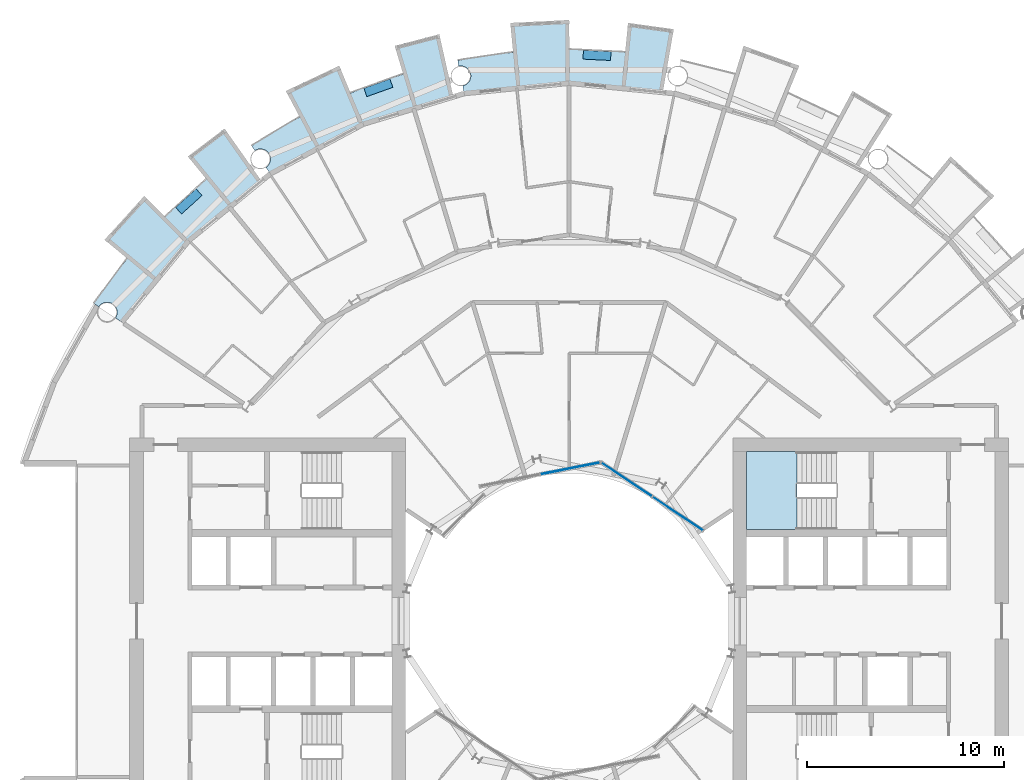
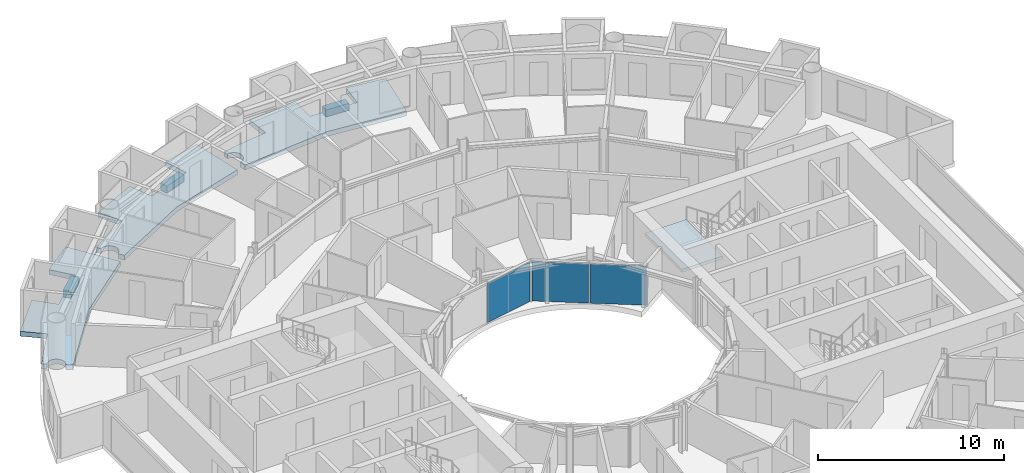
# One storey, part 11 of 26: 7 slabs, 3 plates, 3 elements without a shape of their own.
"""IFC4 building model written with IfcOpenShell, lengths in metres."""

from ifc_helpers import new_model, si_unit, direction, frame, origin, origin_2d, place, context, subcontext, project, spatial, polyline, rectangle, outline, extrude, material, layer, layer_set, type_object, element, aggregate, save


model = new_model("IFC4")

# Units and contexts
model_context = context("Model", 3, precision=1e-05, world=origin(), true_north=direction((0.0, 1.0)))
body_context = subcontext(model_context, "Body", "Model", "MODEL_VIEW")
ifc_project = project(units=[si_unit("LENGTHUNIT", "METRE"), si_unit("AREAUNIT", "SQUARE_METRE"), si_unit("VOLUMEUNIT", "CUBIC_METRE"), si_unit("PLANEANGLEUNIT", "RADIAN"), si_unit("MASSUNIT", "GRAM", prefix="KILO")], contexts=[model_context])

# Site, building, storey
site_placement = place(None, origin())
site = spatial("IfcSite", under=ifc_project, at=site_placement, CompositionType="ELEMENT")
building_placement = place(site_placement, origin())
building = spatial("IfcBuilding", under=site, at=building_placement, Name="Maasbend Ring Residences", CompositionType="ELEMENT")
storey_placement = place(building_placement, frame((0.0, 0.0, 78.85009765625)))
storey = spatial("IfcBuildingStorey", under=building, at=storey_placement, Name="L22", CompositionType="ELEMENT", Elevation=78.85009765625)

# Stair, slab
ifc_material_1 = material(Name="Concrete C40/50", Category="concrete")
stair_type = type_object("IfcStairType", Name="CORE STAIR 18 RISERS", PredefinedType="HALF_TURN_STAIR", material=ifc_material_1)
stair_placement = place(storey_placement, origin())
stair = element("IfcStair", 1, at=stair_placement, inside=storey, type_object=stair_type, Name="L22 Exit stair ST-E1", PredefinedType="HALF_TURN_STAIR")
ifc_material_2 = material(Name="Concrete C40/50", Category="concrete")
ifc_layer_1 = layer(ifc_material_2, 0.199951171875)
ifc_layer_set_1 = layer_set([ifc_layer_1], Name="Concrete C40/50")
slab_type_1 = type_object("IfcSlabType", Name="CORE STAIR LANDING 200", PredefinedType="LANDING", material=ifc_layer_set_1)
slab_1_placement = place(storey_placement, frame((0.0, 0.0, 1.324951171875)))
slab_1 = element("IfcSlab", 2, at=slab_1_placement, type_object=slab_type_1, Name="ST-E1 landing 1", PredefinedType="LANDING", context=body_context, shape_type="SweptSolid", body=[
    extrude(outline(polyline([(11.550048828125, 8.60009765625), (9.0, 8.60009765625), (9.0, 4.64990234375), (11.550048828125, 4.64990234375), (11.550048828125, 8.60009765625)])), origin(), (0.0, 0.0, 1.0), 0.199951171875),
])
aggregate(stair, [slab_1])

# Curtain wall, plates
ifc_material_3 = material(Name="Aluminium and clear glass", Category="aluminium")
ifc_layer_2 = layer(ifc_material_3, 0.179931640625)
ifc_layer_set_2 = layer_set([ifc_layer_2], Name="CW-W")
curtain_wall_type = type_object("IfcCurtainWallType", Name="CW-W", PredefinedType="NOTDEFINED", material=ifc_layer_set_2)
curtain_wall_1_placement = place(storey_placement, origin())
curtain_wall_1 = element("IfcCurtainWall", 3, at=curtain_wall_1_placement, inside=storey, type_object=curtain_wall_type, Name="Well curtain wall N1", PredefinedType="NOTDEFINED")
ifc_material_4 = material(Name="Glass clear laminated", Category="glass")
ifc_layer_3 = layer(ifc_material_4, 0.031982421875)
ifc_layer_set_3 = layer_set([ifc_layer_3], Name="CWP-W")
plate_type = type_object("IfcPlateType", Name="CWP-W", PredefinedType="CURTAIN_PANEL", material=ifc_layer_set_3)
plate_1_placement = place(storey_placement, frame((5.51123046875, 5.44580078125, -0.000244140625), z_axis=(0.0, 0.0, 1.0), x_axis=(-0.831469612303, 0.55557023302, 0.0)))
plate_1 = element("IfcPlate", 4, at=plate_1_placement, type_object=plate_type, Name="Glass panel well face", PredefinedType="CURTAIN_PANEL", context=body_context, shape_type="SweptSolid", body=[
    extrude(rectangle(XDim=3.053955078125, YDim=0.031982421875, at=origin_2d()), origin(), (0.0, 0.0, 1.0), 2.580078125),
])
plate_2_placement = place(storey_placement, frame((2.922119140625, 7.17578125, -0.000244140625), z_axis=(0.0, 0.0, 1.0), x_axis=(-0.831469612303, 0.55557023302, 0.0)))
plate_2 = element("IfcPlate", 5, at=plate_2_placement, type_object=plate_type, Name="Glass panel well face", PredefinedType="CURTAIN_PANEL", context=body_context, shape_type="SweptSolid", body=[
    extrude(rectangle(XDim=3.053955078125, YDim=0.031982421875, at=origin_2d()), origin(), (0.0, 0.0, 1.0), 2.580078125),
])
aggregate(curtain_wall_1, [plate_1, plate_2])

# Curtain wall, plate
curtain_wall_2_placement = place(storey_placement, origin())
curtain_wall_2 = element("IfcCurtainWall", 6, at=curtain_wall_2_placement, inside=storey, type_object=curtain_wall_type, Name="Well curtain wall N2", PredefinedType="NOTDEFINED")
plate_3_placement = place(storey_placement, frame((0.04638671875, 7.747802734375, -0.000244140625), z_axis=(0.0, 0.0, 1.0), x_axis=(-0.980785280403, -0.195090322016, 0.0)))
plate_3 = element("IfcPlate", 7, at=plate_3_placement, type_object=plate_type, Name="Glass panel well face", PredefinedType="CURTAIN_PANEL", context=body_context, shape_type="SweptSolid", body=[
    extrude(rectangle(XDim=3.053955078125, YDim=0.031982421875, at=origin_2d()), origin(), (0.0, 0.0, 1.0), 2.580078125),
])
aggregate(curtain_wall_2, [plate_3])

# Slabs
ifc_material_5 = material(Name="Planting with climbing greenery")
ifc_layer_4 = layer(ifc_material_5, 0.449951171875)
ifc_layer_set_4 = layer_set([ifc_layer_4], Name="PLANTER-LG")
slab_type_2 = type_object("IfcSlabType", Name="PLANTER-LG", PredefinedType="USERDEFINED", material=ifc_layer_set_4)
slab_2_placement = place(storey_placement, frame((0.0, 0.0, -0.030029296875)))
element("IfcSlab", 8, at=slab_2_placement, inside=storey, type_object=slab_type_2, Name="Planter with climbing greenery 3", ObjectType="PLANTER", PredefinedType="USERDEFINED", context=body_context, shape_type="SweptSolid", body=[
    extrude(outline(polyline([(2.1201171875, 28.89599609375), (0.721923828125, 28.965087890625), (0.699951171875, 28.514892578125), (2.097900390625, 28.446044921875), (2.1201171875, 28.89599609375)])), origin(), (0.0, 0.0, 1.0), 0.449951171875),
])
slab_3_placement = place(storey_placement, frame((0.0, 0.0, -0.030029296875)))
element("IfcSlab", 9, at=slab_3_placement, inside=storey, type_object=slab_type_2, Name="Planter with climbing greenery 4", ObjectType="PLANTER", PredefinedType="USERDEFINED", context=body_context, shape_type="SweptSolid", body=[
    extrude(outline(polyline([(-9.09912109375, 27.508056640625), (-10.4169921875, 27.035888671875), (-10.26611328125, 26.612060546875), (-8.947021484375, 27.083984375), (-9.09912109375, 27.508056640625)])), origin(), (0.0, 0.0, 1.0), 0.449951171875),
])
slab_4_placement = place(storey_placement, frame((0.0, 0.0, -0.030029296875)))
element("IfcSlab", 10, at=slab_4_placement, inside=storey, type_object=slab_type_2, Name="Planter with climbing greenery 5", ObjectType="PLANTER", PredefinedType="USERDEFINED", context=body_context, shape_type="SweptSolid", body=[
    extrude(outline(polyline([(-18.93310546875, 21.931884765625), (-19.969970703125, 20.991943359375), (-19.66796875, 20.657958984375), (-18.631103515625, 21.597900390625), (-18.93310546875, 21.931884765625)])), origin(), (0.0, 0.0, 1.0), 0.449951171875),
])
ifc_material_6 = material(Name="Concrete C40/50", Category="concrete")
ifc_layer_5 = layer(ifc_material_6, 0.199951171875)
ifc_layer_set_5 = layer_set([ifc_layer_5], Name="Concrete C40/50")
slab_type_3 = type_object("IfcSlabType", Name="SL-LOGGIA", PredefinedType="FLOOR", material=ifc_layer_set_5)
slab_5_placement = place(storey_placement, frame((0.0, 0.0, -0.35009765625)))
element("IfcSlab", 11, at=slab_5_placement, inside=storey, type_object=slab_type_3, Name="Loggia floor 1", PredefinedType="FLOOR", context=body_context, shape_type="SweptSolid", body=[
    extrude(outline(polyline([(-14.5, 25.114990234375), (-13.6708984375, 25.574951171875), (-13.6708984375, 25.575927734375), (-13.6708984375, 25.575927734375), (-13.6708984375, 25.575927734375), (-13.6708984375, 25.575927734375), (-13.6708984375, 25.575927734375), (-13.6708984375, 25.575927734375), (-13.6708984375, 25.575927734375), (-13.6708984375, 25.575927734375), (-13.6708984375, 25.575927734375), (-13.6708984375, 25.575927734375), (-13.6708984375, 25.575927734375), (-13.6708984375, 25.575927734375), (-13.6708984375, 25.575927734375), (-13.6708984375, 25.575927734375), (-13.6708984375, 25.575927734375), (-13.6708984375, 25.575927734375), (-14.3779296875, 26.89892578125), (-14.3779296875, 26.89892578125), (-14.3779296875, 26.89892578125), (-11.672119140625, 28.177978515625), (-11.672119140625, 28.177978515625), (-11.672119140625, 28.177978515625), (-11.097900390625, 26.79296875), (-11.097900390625, 26.79296875), (-11.097900390625, 26.79296875), (-11.097900390625, 26.79296875), (-11.097900390625, 26.79296875), (-11.097900390625, 26.79296875), (-11.097900390625, 26.79296875), (-11.097900390625, 26.79296875), (-11.097900390625, 26.79296875), (-11.097900390625, 26.79296875), (-11.097900390625, 26.79296875), (-11.097900390625, 26.79296875), (-11.097900390625, 26.79296875), (-11.097900390625, 26.79296875), (-11.096923828125, 26.79296875), (-11.096923828125, 26.79296875), (-11.096923828125, 26.79296875), (-10.215087890625, 27.14111328125), (-10.215087890625, 27.14111328125), (-9.322021484375, 27.4609375), (-9.322021484375, 27.4609375), (-8.4189453125, 27.7509765625), (-8.4189453125, 27.7509765625), (-8.4189453125, 27.7509765625), (-8.4189453125, 27.7509765625), (-8.4189453125, 27.7509765625), (-8.4189453125, 27.7509765625), (-8.41796875, 27.7509765625), (-8.41796875, 27.7509765625), (-8.41796875, 27.7509765625), (-8.41796875, 27.7509765625), (-8.41796875, 27.7509765625), (-8.41796875, 27.751953125), (-8.41796875, 27.751953125), (-8.41796875, 27.751953125), (-8.41796875, 27.751953125), (-8.41796875, 27.751953125), (-8.41796875, 27.751953125), (-8.85400390625, 29.18701171875), (-8.85400390625, 29.18701171875), (-8.85400390625, 29.18701171875), (-6.593994140625, 29.779052734375), (-6.593994140625, 29.779052734375), (-6.593994140625, 29.779052734375), (-5.89111328125, 26.60400390625), (-5.89111328125, 26.60400390625), (-5.89111328125, 26.60400390625), (-7.886962890625, 25.9990234375), (-10.447021484375, 25.221923828125), (-10.447021484375, 25.221923828125), (-10.447021484375, 25.221923828125), (-12.806884765625, 23.9609375), (-15.1669921875, 22.698974609375), (-15.1669921875, 22.698974609375), (-15.1669921875, 22.698974609375), (-15.385009765625, 23.02490234375), (-15.375, 23.031982421875), (-15.364013671875, 23.0390625), (-15.35498046875, 23.047119140625), (-15.344970703125, 23.054931640625), (-15.3349609375, 23.06298828125), (-15.325927734375, 23.071044921875), (-15.31689453125, 23.0791015625), (-15.30810546875, 23.087890625), (-15.299072265625, 23.096923828125), (-15.291015625, 23.10595703125), (-15.281982421875, 23.115966796875), (-15.27392578125, 23.125), (-15.26708984375, 23.135009765625), (-15.259033203125, 23.14501953125), (-15.251953125, 23.155029296875), (-15.2451171875, 23.1650390625), (-15.238037109375, 23.176025390625), (-15.23095703125, 23.18603515625), (-15.22509765625, 23.197021484375), (-15.218994140625, 23.2080078125), (-15.212890625, 23.218994140625), (-15.2080078125, 23.22998046875), (-15.202880859375, 23.241943359375), (-15.197998046875, 23.2529296875), (-15.193115234375, 23.264892578125), (-15.18896484375, 23.27587890625), (-15.18505859375, 23.2880859375), (-15.180908203125, 23.300048828125), (-15.177978515625, 23.31201171875), (-15.174072265625, 23.323974609375), (-15.1708984375, 23.3359375), (-15.1689453125, 23.347900390625), (-15.1669921875, 23.361083984375), (-15.1650390625, 23.373046875), (-15.1630859375, 23.385009765625), (-15.162109375, 23.39794921875), (-15.159912109375, 23.409912109375), (-15.159912109375, 23.422119140625), (-15.158935546875, 23.43505859375), (-15.158935546875, 23.447021484375), (-15.158935546875, 23.4599609375), (-15.159912109375, 23.471923828125), (-15.159912109375, 23.485107421875), (-15.162109375, 23.4970703125), (-15.1630859375, 23.510009765625), (-15.1650390625, 23.52197265625), (-15.1669921875, 23.533935546875), (-15.1689453125, 23.547119140625), (-15.1708984375, 23.55908203125), (-15.174072265625, 23.571044921875), (-15.177978515625, 23.5830078125), (-15.180908203125, 23.594970703125), (-15.18505859375, 23.60693359375), (-15.18896484375, 23.618896484375), (-15.193115234375, 23.6298828125), (-15.197998046875, 23.64208984375), (-15.202880859375, 23.653076171875), (-15.2080078125, 23.6650390625), (-15.212890625, 23.676025390625), (-15.218994140625, 23.68701171875), (-15.22509765625, 23.697998046875), (-15.23095703125, 23.708984375), (-15.238037109375, 23.718994140625), (-15.2451171875, 23.72998046875), (-15.251953125, 23.739990234375), (-15.259033203125, 23.75), (-15.26708984375, 23.760009765625), (-15.27392578125, 23.77001953125), (-15.281982421875, 23.779052734375), (-15.291015625, 23.7890625), (-15.299072265625, 23.798095703125), (-15.30810546875, 23.806884765625), (-15.31689453125, 23.81494140625), (-15.325927734375, 23.823974609375), (-15.3349609375, 23.83203125), (-15.344970703125, 23.840087890625), (-15.35498046875, 23.847900390625), (-15.364013671875, 23.85498046875), (-15.375, 23.863037109375), (-15.385009765625, 23.8701171875), (-15.39501953125, 23.876953125), (-15.406005859375, 23.883056640625), (-15.4169921875, 23.888916015625), (-15.427978515625, 23.89501953125), (-15.43896484375, 23.90087890625), (-15.449951171875, 23.906982421875), (-15.4609375, 23.912109375), (-15.472900390625, 23.9169921875), (-15.48388671875, 23.9208984375), (-15.49609375, 23.926025390625), (-15.508056640625, 23.929931640625), (-15.52001953125, 23.93408203125), (-15.531982421875, 23.93701171875), (-15.5439453125, 23.93994140625), (-15.555908203125, 23.943115234375), (-15.568115234375, 23.946044921875), (-15.580078125, 23.947998046875), (-15.593017578125, 23.949951171875), (-15.60498046875, 23.951904296875), (-15.616943359375, 23.952880859375), (-15.6298828125, 23.9541015625), (-15.64208984375, 23.955078125), (-15.655029296875, 23.955078125), (-15.6669921875, 23.955078125), (-15.679931640625, 23.955078125), (-15.69189453125, 23.955078125), (-15.7041015625, 23.9541015625), (-15.717041015625, 23.952880859375), (-15.72900390625, 23.951904296875), (-15.741943359375, 23.949951171875), (-15.75390625, 23.947998046875), (-15.76611328125, 23.946044921875), (-15.778076171875, 23.943115234375), (-15.791015625, 23.93994140625), (-15.802978515625, 23.93701171875), (-15.81494140625, 23.93408203125), (-15.825927734375, 23.929931640625), (-15.837890625, 23.926025390625), (-15.85009765625, 23.9208984375), (-15.862060546875, 23.9169921875), (-15.873046875, 23.912109375), (-15.884033203125, 23.906982421875), (-15.89599609375, 23.90087890625), (-15.906982421875, 23.89501953125), (-15.9169921875, 23.888916015625), (-15.927978515625, 23.883056640625), (-15.93896484375, 23.876953125), (-15.948974609375, 23.8701171875), (-16.112060546875, 24.113037109375), (-16.112060546875, 24.113037109375), (-16.112060546875, 24.113037109375), (-15.31396484375, 24.626953125), (-15.31396484375, 24.626953125), (-14.5, 25.114990234375), (-14.5, 25.114990234375)])), origin(), (0.0, 0.0, 1.0), 0.320068359375),
])
slab_6_placement = place(storey_placement, frame((0.0, 0.0, -0.35009765625)))
element("IfcSlab", 12, at=slab_6_placement, inside=storey, type_object=slab_type_3, Name="Loggia floor 3", PredefinedType="FLOOR", context=body_context, shape_type="SweptSolid", body=[
    extrude(outline(polyline([(-3.784912109375, 28.751953125), (-2.843017578125, 28.860107421875), (-2.843017578125, 28.860107421875), (-2.843017578125, 28.860107421875), (-2.843017578125, 28.860107421875), (-2.843017578125, 28.860107421875), (-2.843017578125, 28.860107421875), (-2.843017578125, 28.860107421875), (-2.843017578125, 28.860107421875), (-2.843017578125, 28.860107421875), (-2.843017578125, 28.861083984375), (-2.843017578125, 28.861083984375), (-2.843017578125, 28.861083984375), (-2.843017578125, 28.861083984375), (-2.843017578125, 28.861083984375), (-2.843017578125, 28.861083984375), (-2.843017578125, 28.861083984375), (-2.843017578125, 28.861083984375), (-2.989990234375, 30.35302734375), (-2.989990234375, 30.35302734375), (-2.989990234375, 30.35302734375), (0.0, 30.5), (0.0, 30.5), (0.0, 30.5), (0.0, 29.0), (0.0, 29.0), (0.0, 29.0), (0.0, 29.0), (0.0, 29.0), (0.0, 29.0), (0.0, 29.0), (0.0, 29.0), (0.0, 29.0), (0.0, 29.0), (0.0, 29.0), (0.0, 29.0), (0.0, 29.0), (0.0, 29.0), (0.0, 29.0), (0.0, 29.0), (0.0, 29.0), (0.948974609375, 28.98388671875), (0.948974609375, 28.98388671875), (1.89697265625, 28.93798828125), (1.89697265625, 28.93798828125), (2.842041015625, 28.860107421875), (2.842041015625, 28.860107421875), (2.842041015625, 28.860107421875), (2.842041015625, 28.860107421875), (2.842041015625, 28.860107421875), (2.842041015625, 28.860107421875), (2.842041015625, 28.860107421875), (2.842041015625, 28.860107421875), (2.842041015625, 28.861083984375), (2.842041015625, 28.861083984375), (2.842041015625, 28.861083984375), (2.842041015625, 28.861083984375), (2.842041015625, 28.861083984375), (2.843017578125, 28.861083984375), (2.843017578125, 28.861083984375), (2.843017578125, 28.861083984375), (2.843017578125, 28.861083984375), (2.989990234375, 30.35302734375), (2.989990234375, 30.35302734375), (2.989990234375, 30.35302734375), (5.303955078125, 30.034912109375), (5.303955078125, 30.034912109375), (5.303955078125, 30.034912109375), (4.739013671875, 26.8330078125), (4.739013671875, 26.8330078125), (4.739013671875, 26.8330078125), (2.6630859375, 27.0380859375), (0.0, 27.300048828125), (0.0, 27.300048828125), (0.0, 27.300048828125), (-2.6630859375, 27.0380859375), (-5.325927734375, 26.77490234375), (-5.325927734375, 26.77490234375), (-5.325927734375, 26.77490234375), (-5.402099609375, 27.159912109375), (-5.402099609375, 27.159912109375), (-5.389892578125, 27.162109375), (-5.3779296875, 27.1650390625), (-5.365966796875, 27.1689453125), (-5.35400390625, 27.172119140625), (-5.342041015625, 27.176025390625), (-5.330078125, 27.179931640625), (-5.319091796875, 27.18408203125), (-5.306884765625, 27.18896484375), (-5.2958984375, 27.194091796875), (-5.283935546875, 27.198974609375), (-5.27294921875, 27.2041015625), (-5.261962890625, 27.2099609375), (-5.2509765625, 27.216064453125), (-5.239990234375, 27.221923828125), (-5.22998046875, 27.22900390625), (-5.218994140625, 27.236083984375), (-5.208984375, 27.242919921875), (-5.198974609375, 27.25), (-5.18896484375, 27.258056640625), (-5.178955078125, 27.264892578125), (-5.169921875, 27.27294921875), (-5.159912109375, 27.281982421875), (-5.15087890625, 27.2900390625), (-5.14208984375, 27.299072265625), (-5.134033203125, 27.30810546875), (-5.125, 27.31689453125), (-5.116943359375, 27.325927734375), (-5.10888671875, 27.3359375), (-5.10107421875, 27.345947265625), (-5.093017578125, 27.35498046875), (-5.0859375, 27.365966796875), (-5.0791015625, 27.3759765625), (-5.072021484375, 27.385986328125), (-5.06591796875, 27.39697265625), (-5.05908203125, 27.407958984375), (-5.052978515625, 27.4189453125), (-5.048095703125, 27.429931640625), (-5.0419921875, 27.44091796875), (-5.037109375, 27.451904296875), (-5.031982421875, 27.464111328125), (-5.028076171875, 27.47509765625), (-5.02294921875, 27.487060546875), (-5.01904296875, 27.4990234375), (-5.014892578125, 27.510986328125), (-5.011962890625, 27.52294921875), (-5.009033203125, 27.534912109375), (-5.006103515625, 27.547119140625), (-5.0029296875, 27.55908203125), (-5.0009765625, 27.571044921875), (-4.9990234375, 27.583984375), (-4.9970703125, 27.595947265625), (-4.99609375, 27.60791015625), (-4.9951171875, 27.62109375), (-4.993896484375, 27.633056640625), (-4.993896484375, 27.64599609375), (-4.993896484375, 27.657958984375), (-4.993896484375, 27.6708984375), (-4.993896484375, 27.68310546875), (-4.9951171875, 27.695068359375), (-4.99609375, 27.7080078125), (-4.9970703125, 27.719970703125), (-4.9990234375, 27.73291015625), (-5.0009765625, 27.7451171875), (-5.0029296875, 27.757080078125), (-5.006103515625, 27.76904296875), (-5.009033203125, 27.781982421875), (-5.011962890625, 27.7939453125), (-5.014892578125, 27.805908203125), (-5.01904296875, 27.81689453125), (-5.02294921875, 27.8291015625), (-5.028076171875, 27.841064453125), (-5.031982421875, 27.85302734375), (-5.037109375, 27.864013671875), (-5.0419921875, 27.875), (-5.048095703125, 27.886962890625), (-5.052978515625, 27.89794921875), (-5.05908203125, 27.907958984375), (-5.06591796875, 27.9189453125), (-5.072021484375, 27.929931640625), (-5.0791015625, 27.93994140625), (-5.0859375, 27.950927734375), (-5.093017578125, 27.9609375), (-5.10107421875, 27.970947265625), (-5.10888671875, 27.97998046875), (-5.116943359375, 27.989990234375), (-5.125, 27.9990234375), (-5.134033203125, 28.008056640625), (-5.14208984375, 28.01708984375), (-5.15087890625, 28.02587890625), (-5.159912109375, 28.034912109375), (-5.169921875, 28.04296875), (-5.178955078125, 28.051025390625), (-5.18896484375, 28.05908203125), (-5.198974609375, 28.06591796875), (-5.208984375, 28.072998046875), (-5.218994140625, 28.080078125), (-5.22998046875, 28.0869140625), (-5.239990234375, 28.093994140625), (-5.2509765625, 28.10009765625), (-5.261962890625, 28.10595703125), (-5.27294921875, 28.112060546875), (-5.283935546875, 28.116943359375), (-5.2958984375, 28.123046875), (-5.306884765625, 28.126953125), (-5.319091796875, 28.132080078125), (-5.330078125, 28.135986328125), (-5.342041015625, 28.139892578125), (-5.35400390625, 28.14404296875), (-5.365966796875, 28.14794921875), (-5.3779296875, 28.15087890625), (-5.389892578125, 28.154052734375), (-5.402099609375, 28.156005859375), (-5.4150390625, 28.158935546875), (-5.427001953125, 28.160888671875), (-5.43896484375, 28.162109375), (-5.451904296875, 28.1640625), (-5.464111328125, 28.1650390625), (-5.47705078125, 28.1650390625), (-5.489013671875, 28.166015625), (-5.501953125, 28.166015625), (-5.513916015625, 28.166015625), (-5.52587890625, 28.1650390625), (-5.5390625, 28.1650390625), (-5.551025390625, 28.1640625), (-5.56396484375, 28.162109375), (-5.575927734375, 28.160888671875), (-5.587890625, 28.158935546875), (-5.60107421875, 28.156005859375), (-5.60107421875, 28.156005859375), (-5.657958984375, 28.443115234375), (-5.657958984375, 28.443115234375), (-5.657958984375, 28.443115234375), (-4.72412109375, 28.613037109375), (-4.72412109375, 28.613037109375), (-3.784912109375, 28.751953125), (-3.784912109375, 28.751953125)])), origin(), (0.0, 0.0, 1.0), 0.320068359375),
])
slab_7_placement = place(storey_placement, frame((0.0, 0.0, -0.35009765625)))
element("IfcSlab", 13, at=slab_7_placement, inside=storey, type_object=slab_type_3, Name="Loggia floor 5", PredefinedType="FLOOR", context=body_context, shape_type="SweptSolid", body=[
    extrude(outline(polyline([(-23.007080078125, 17.654052734375), (-22.41796875, 18.39697265625), (-22.41796875, 18.39697265625), (-22.41796875, 18.39697265625), (-22.41796875, 18.39697265625), (-22.41796875, 18.39697265625), (-22.41796875, 18.39697265625), (-22.41796875, 18.39697265625), (-22.41796875, 18.39697265625), (-22.41796875, 18.39697265625), (-22.41796875, 18.39697265625), (-22.41796875, 18.39697265625), (-22.41796875, 18.39794921875), (-22.41796875, 18.39794921875), (-22.41796875, 18.39794921875), (-22.41796875, 18.39794921875), (-22.41796875, 18.39794921875), (-22.41796875, 18.39794921875), (-23.576904296875, 19.34912109375), (-23.576904296875, 19.34912109375), (-23.576904296875, 19.34912109375), (-21.56689453125, 21.56689453125), (-21.56689453125, 21.56689453125), (-21.56689453125, 21.56689453125), (-20.506103515625, 20.506103515625), (-20.506103515625, 20.506103515625), (-20.506103515625, 20.506103515625), (-20.506103515625, 20.506103515625), (-20.506103515625, 20.506103515625), (-20.506103515625, 20.506103515625), (-20.506103515625, 20.506103515625), (-20.506103515625, 20.506103515625), (-20.506103515625, 20.506103515625), (-20.506103515625, 20.506103515625), (-20.506103515625, 20.506103515625), (-20.506103515625, 20.506103515625), (-20.506103515625, 20.506103515625), (-20.506103515625, 20.506103515625), (-20.506103515625, 20.506103515625), (-20.506103515625, 20.506103515625), (-20.506103515625, 20.506103515625), (-19.823974609375, 21.166015625), (-19.823974609375, 21.166015625), (-19.12109375, 21.802978515625), (-19.12109375, 21.802978515625), (-18.39794921875, 22.4169921875), (-18.39794921875, 22.4169921875), (-18.39794921875, 22.4169921875), (-18.39794921875, 22.4169921875), (-18.39794921875, 22.4169921875), (-18.39794921875, 22.4169921875), (-18.39794921875, 22.4169921875), (-18.39794921875, 22.4169921875), (-18.39794921875, 22.4169921875), (-18.39794921875, 22.4169921875), (-18.39794921875, 22.4169921875), (-18.39794921875, 22.4169921875), (-18.39794921875, 22.41796875), (-18.39794921875, 22.41796875), (-18.39794921875, 22.41796875), (-18.39794921875, 22.41796875), (-18.39794921875, 22.41796875), (-19.34912109375, 23.576904296875), (-19.34912109375, 23.576904296875), (-19.34912109375, 23.576904296875), (-17.488037109375, 24.989013671875), (-17.488037109375, 24.989013671875), (-17.488037109375, 24.989013671875), (-15.623046875, 22.324951171875), (-15.623046875, 22.324951171875), (-15.623046875, 22.324951171875), (-17.236083984375, 21.001953125), (-19.303955078125, 19.303955078125), (-19.303955078125, 19.303955078125), (-19.303955078125, 19.303955078125), (-21.001953125, 17.236083984375), (-22.698974609375, 15.1669921875), (-22.698974609375, 15.1669921875), (-22.698974609375, 15.1669921875), (-23.02490234375, 15.385009765625), (-23.02490234375, 15.385009765625), (-23.01806640625, 15.39501953125), (-23.011962890625, 15.406005859375), (-23.0048828125, 15.4169921875), (-22.9990234375, 15.427978515625), (-22.993896484375, 15.43896484375), (-22.988037109375, 15.449951171875), (-22.98291015625, 15.4609375), (-22.97802734375, 15.472900390625), (-22.972900390625, 15.48388671875), (-22.968994140625, 15.49609375), (-22.965087890625, 15.508056640625), (-22.9609375, 15.52001953125), (-22.9580078125, 15.531982421875), (-22.955078125, 15.5439453125), (-22.951904296875, 15.555908203125), (-22.948974609375, 15.568115234375), (-22.947021484375, 15.580078125), (-22.945068359375, 15.593017578125), (-22.943115234375, 15.60498046875), (-22.94189453125, 15.616943359375), (-22.94091796875, 15.6298828125), (-22.93994140625, 15.64208984375), (-22.93994140625, 15.655029296875), (-22.93896484375, 15.6669921875), (-22.93994140625, 15.679931640625), (-22.93994140625, 15.69189453125), (-22.94091796875, 15.7041015625), (-22.94189453125, 15.717041015625), (-22.943115234375, 15.72900390625), (-22.945068359375, 15.741943359375), (-22.947021484375, 15.75390625), (-22.948974609375, 15.76611328125), (-22.951904296875, 15.778076171875), (-22.955078125, 15.791015625), (-22.9580078125, 15.802978515625), (-22.9609375, 15.81494140625), (-22.965087890625, 15.825927734375), (-22.968994140625, 15.837890625), (-22.972900390625, 15.85009765625), (-22.97802734375, 15.862060546875), (-22.98291015625, 15.873046875), (-22.988037109375, 15.884033203125), (-22.993896484375, 15.89599609375), (-22.9990234375, 15.906982421875), (-23.0048828125, 15.9169921875), (-23.011962890625, 15.927978515625), (-23.01806640625, 15.93896484375), (-23.02490234375, 15.948974609375), (-23.031982421875, 15.9599609375), (-23.0390625, 15.969970703125), (-23.047119140625, 15.97998046875), (-23.054931640625, 15.989013671875), (-23.06298828125, 15.9990234375), (-23.071044921875, 16.008056640625), (-23.0791015625, 16.01708984375), (-23.087890625, 16.02587890625), (-23.096923828125, 16.034912109375), (-23.10595703125, 16.0439453125), (-23.115966796875, 16.052001953125), (-23.125, 16.06005859375), (-23.135009765625, 16.068115234375), (-23.14501953125, 16.074951171875), (-23.155029296875, 16.08203125), (-23.1650390625, 16.089111328125), (-23.176025390625, 16.095947265625), (-23.18603515625, 16.10302734375), (-23.197021484375, 16.10888671875), (-23.2080078125, 16.114990234375), (-23.218994140625, 16.12109375), (-23.22998046875, 16.1259765625), (-23.241943359375, 16.132080078125), (-23.2529296875, 16.135986328125), (-23.264892578125, 16.14111328125), (-23.27587890625, 16.14501953125), (-23.2880859375, 16.14892578125), (-23.300048828125, 16.153076171875), (-23.31201171875, 16.156982421875), (-23.323974609375, 16.159912109375), (-23.3359375, 16.1630859375), (-23.347900390625, 16.1650390625), (-23.361083984375, 16.16796875), (-23.373046875, 16.169921875), (-23.385009765625, 16.1708984375), (-23.39794921875, 16.173095703125), (-23.409912109375, 16.174072265625), (-23.422119140625, 16.174072265625), (-23.43505859375, 16.175048828125), (-23.447021484375, 16.175048828125), (-23.4599609375, 16.175048828125), (-23.471923828125, 16.174072265625), (-23.485107421875, 16.174072265625), (-23.4970703125, 16.173095703125), (-23.510009765625, 16.1708984375), (-23.52197265625, 16.169921875), (-23.533935546875, 16.16796875), (-23.547119140625, 16.1650390625), (-23.55908203125, 16.1630859375), (-23.571044921875, 16.159912109375), (-23.5830078125, 16.156982421875), (-23.594970703125, 16.153076171875), (-23.60693359375, 16.14892578125), (-23.618896484375, 16.14501953125), (-23.6298828125, 16.14111328125), (-23.64208984375, 16.135986328125), (-23.653076171875, 16.132080078125), (-23.6650390625, 16.1259765625), (-23.676025390625, 16.12109375), (-23.68701171875, 16.114990234375), (-23.697998046875, 16.10888671875), (-23.708984375, 16.10302734375), (-23.718994140625, 16.095947265625), (-23.72998046875, 16.089111328125), (-23.739990234375, 16.08203125), (-23.75, 16.074951171875), (-23.760009765625, 16.068115234375), (-23.77001953125, 16.06005859375), (-23.779052734375, 16.052001953125), (-23.7890625, 16.0439453125), (-23.798095703125, 16.034912109375), (-23.806884765625, 16.02587890625), (-23.81494140625, 16.01708984375), (-23.823974609375, 16.008056640625), (-23.83203125, 15.9990234375), (-23.840087890625, 15.989013671875), (-23.847900390625, 15.97998046875), (-23.85498046875, 15.969970703125), (-23.863037109375, 15.9599609375), (-23.8701171875, 15.948974609375), (-23.8701171875, 15.948974609375), (-24.113037109375, 16.112060546875), (-24.113037109375, 16.112060546875), (-24.113037109375, 16.112060546875), (-23.572998046875, 16.89208984375), (-23.572998046875, 16.89208984375), (-23.007080078125, 17.654052734375), (-23.007080078125, 17.654052734375)])), origin(), (0.0, 0.0, 1.0), 0.320068359375),
])

save(model, "model.ifc")
